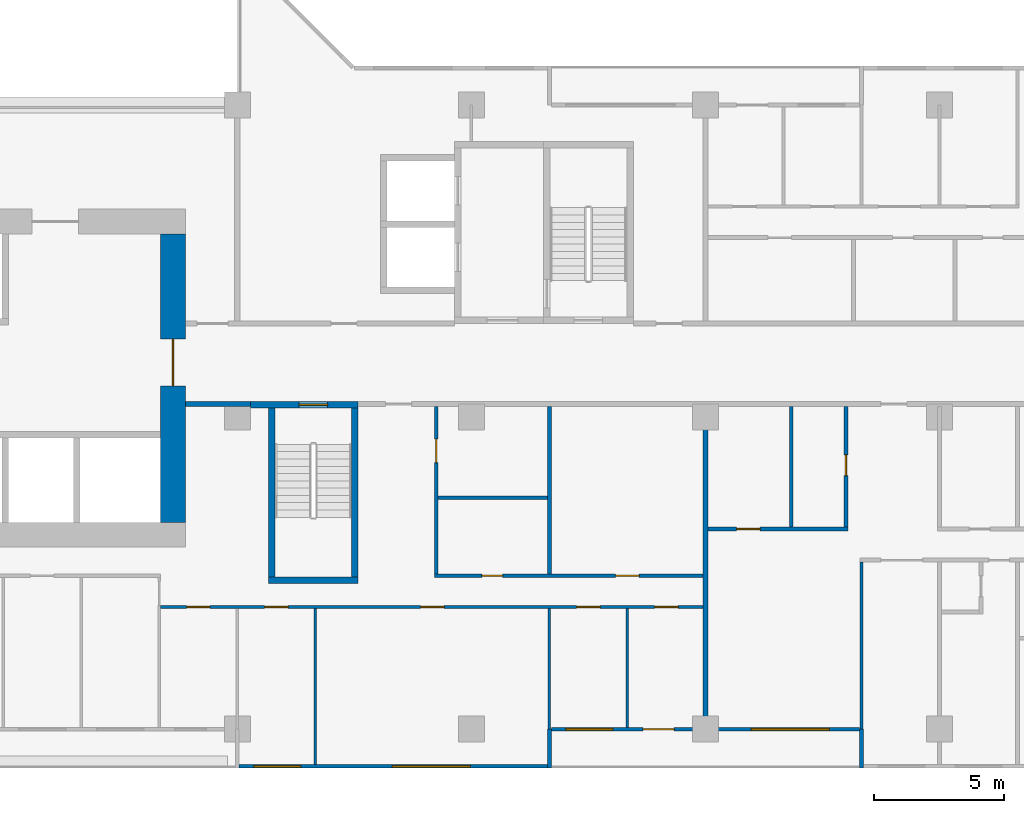
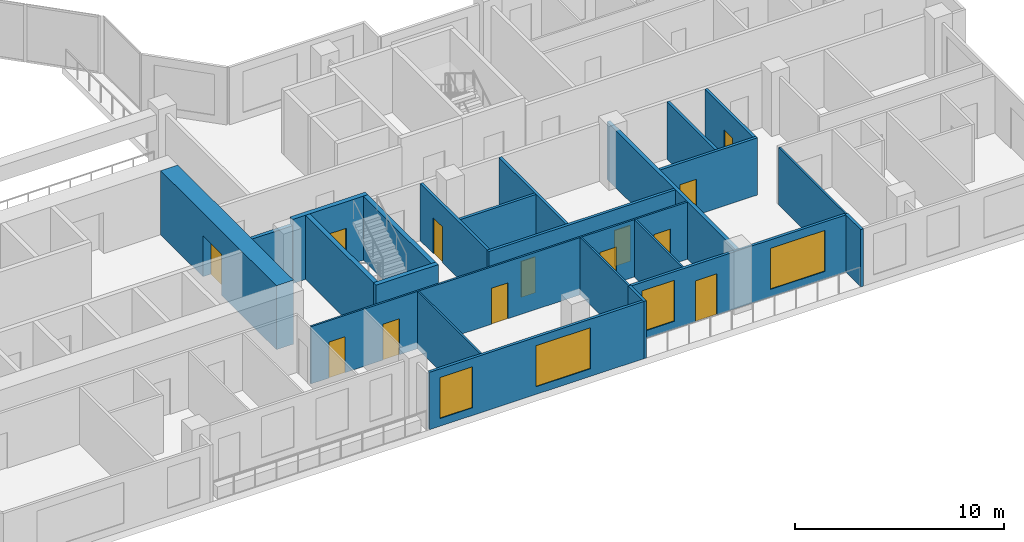
# One storey, part 6 of 15: 23 walls, 13 doors, 4 windows, 17 openings.
"""IFC4 building model written with IfcOpenShell, lengths in metres."""

from ifc_helpers import new_model, si_unit, direction, frame, frame_2d, origin, place, context, subcontext, project, spatial, rectangle, extrude, material, layer, layer_set, type_object, element, fill, save


model = new_model("IFC4")

# Units and contexts
model_context = context("Model", 3, precision=1e-05, world=origin(), true_north=direction((0.0, 1.0)))
body_context = subcontext(model_context, "Body", "Model", "MODEL_VIEW")
ifc_project = project(units=[si_unit("LENGTHUNIT", "METRE"), si_unit("AREAUNIT", "SQUARE_METRE"), si_unit("VOLUMEUNIT", "CUBIC_METRE"), si_unit("PLANEANGLEUNIT", "RADIAN"), si_unit("MASSUNIT", "GRAM", prefix="KILO")], contexts=[model_context])

# Site, building, storey
site_placement = place(None, origin())
site = spatial("IfcSite", under=ifc_project, at=site_placement, CompositionType="ELEMENT")
building_placement = place(site_placement, origin())
building = spatial("IfcBuilding", under=site, at=building_placement, Name="Chenar Terraces", CompositionType="ELEMENT")
storey_placement = place(building_placement, frame((0.0, 0.0, 125.64990234375)))
storey = spatial("IfcBuildingStorey", under=building, at=storey_placement, Name="L29", CompositionType="ELEMENT", Elevation=125.64990234375)

# Wall
ifc_material_1 = material(Name="Concrete C70/85", Category="concrete")
ifc_layer_1 = layer(ifc_material_1, 0.25)
ifc_layer_set_1 = layer_set([ifc_layer_1], Name="Concrete C70/85")
wall_type_1 = type_object("IfcWallType", Name="Core wall 250 Concrete C70/85", PredefinedType="SHEAR", material=ifc_layer_set_1)
wall_1_placement = place(storey_placement, frame((37.199951171875, 5.72509765625, 0.0), z_axis=(0.0, 0.0, 1.0), x_axis=(1.0, 0.0, 0.0)))
element("IfcWall", 1, at=wall_1_placement, inside=storey, type_object=wall_type_1, Name="Core wall ST2_S L29", PredefinedType="SHEAR", context=body_context, shape_type="SweptSolid", body=[
    extrude(rectangle(XDim=3.449951171875, YDim=0.25, at=frame_2d((1.72509765625, 0.0))), origin(), (0.0, 0.0, 1.0), 3.75),
])

# Wall, opening, door
wall_2_placement = place(storey_placement, frame((36.5, 12.47509765625, 0.0), z_axis=(0.0, 0.0, 1.0), x_axis=(1.0, 0.0, 0.0)))
wall_2 = element("IfcWall", 2, at=wall_2_placement, inside=storey, type_object=wall_type_1, Name="Core wall ST2_N L29", PredefinedType="SHEAR", context=body_context, shape_type="SweptSolid", body=[
    extrude(rectangle(XDim=4.14990234375, YDim=0.25, at=frame_2d((2.074951171875, 0.0))), origin(), (0.0, 0.0, 1.0), 3.75),
])
opening_1_placement = place(wall_2_placement, frame((1.875, 0.0, 0.0)))
opening_1 = element("IfcOpeningElement", 3, at=opening_1_placement, cuts=wall_2, Name="Opening DL29-C7", PredefinedType="OPENING", context=body_context, shape_type="SweptSolid", body=[
    extrude(rectangle(XDim=1.10009765625, YDim=2.199951171875, at=frame_2d((0.550048828125, 1.10009765625))), frame((0.0, 0.135009765625, 0.0), z_axis=(0.0, -1.0, 0.0), x_axis=(1.0, 0.0, 0.0)), (0.0, 0.0, 1.0), 0.27001953125),
])
ifc_material_2 = material(Name="Steel-framed fire-resisting door leaf", Category="steel")
door_type_1 = type_object("IfcDoorType", Name="Stair fire door FD60 1100 x 2200", OperationType="SINGLE_SWING_LEFT", PredefinedType="DOOR", material=ifc_material_2)
door_1_placement = place(opening_1_placement, frame((1.10009765625, 0.0, 0.0), z_axis=(0.0, 0.0, 1.0), x_axis=(-1.0, 0.0, 0.0)))
door_1 = element("IfcDoor", 4, at=door_1_placement, inside=storey, type_object=door_type_1, Name="Stair door DL29-C7", OperationType="SINGLE_SWING_RIGHT", OverallHeight=2.199951171875, OverallWidth=1.10009765625, PredefinedType="DOOR", context=body_context, shape_type="SweptSolid", body=[
    extrude(rectangle(XDim=1.10009765625, YDim=2.199951171875, at=frame_2d((0.550048828125, 1.10009765625))), frame((0.0, 0.02490234375, 0.0), z_axis=(0.0, -1.0, 0.0), x_axis=(1.0, 0.0, 0.0)), (0.0, 0.0, 1.0), 0.050048828125),
])
fill(opening_1, door_1)

# Walls
for number, where, z_axis, x_axis, name in (
    (5, (37.324951171875, 5.85009765625, 0.0), (0.0, 0.0, 1.0), (0.0, 1.0, 0.0), "Core wall ST2_W L29"),
    (6, (40.52490234375, 5.85009765625, 0.0), (0.0, 0.0, 1.0), (0.0, 1.0, 0.0), "Core wall ST2_E L29"),
):
    element("IfcWall", number, at=place(storey_placement, frame(where, z_axis=z_axis, x_axis=x_axis)), inside=storey, type_object=wall_type_1, Name=name, PredefinedType="SHEAR", context=body_context, shape_type="SweptSolid", body=[
        extrude(rectangle(XDim=6.5, YDim=0.25, at=frame_2d((3.25, 0.0))), origin(), (0.0, 0.0, 1.0), 3.75),
    ])

# Wall, opening, door
ifc_material_3 = material(Name="Concrete C70/85", Category="concrete")
ifc_layer_2 = layer(ifc_material_3, 0.949951171875)
ifc_layer_set_2 = layer_set([ifc_layer_2], Name="Concrete C70/85")
wall_type_2 = type_object("IfcWallType", Name="Core wall 950 Concrete C70/85", PredefinedType="SHEAR", material=ifc_layer_set_2)
wall_3_placement = place(storey_placement, frame((33.52490234375, 7.949951171875, 0.0), z_axis=(0.0, 0.0, 1.0), x_axis=(0.0, 1.0, 0.0)))
wall_3 = element("IfcWall", 7, at=wall_3_placement, inside=storey, type_object=wall_type_2, Name="Core wall E L29", PredefinedType="SHEAR", context=body_context, shape_type="SweptSolid", body=[
    extrude(rectangle(XDim=11.10009765625, YDim=0.949951171875, at=frame_2d((5.550048828125, 0.0))), origin(), (0.0, 0.0, 1.0), 3.75),
])
opening_2_placement = place(wall_3_placement, frame((5.25, 0.0, 0.0)))
opening_2 = element("IfcOpeningElement", 8, at=opening_2_placement, cuts=wall_3, Name="Opening DL29-C1", PredefinedType="OPENING", context=body_context, shape_type="SweptSolid", body=[
    extrude(rectangle(XDim=1.800048828125, YDim=2.39990234375, at=frame_2d((0.89990234375, 1.199951171875))), frame((0.0, 0.48486328125, 0.0), z_axis=(0.0, -1.0, 0.0), x_axis=(1.0, 0.0, 0.0)), (0.0, 0.0, 1.0), 0.969970703125),
])
ifc_material_4 = material(Name="Steel-framed fire-resisting door leaf", Category="steel")
door_type_2 = type_object("IfcDoorType", Name="Core entrance double fire door FD60 1800 x 2400", OperationType="DOUBLE_DOOR_SINGLE_SWING", PredefinedType="DOOR", material=ifc_material_4)
door_2_placement = place(opening_2_placement, origin())
door_2 = element("IfcDoor", 9, at=door_2_placement, inside=storey, type_object=door_type_2, Name="Core door DL29-C1", OperationType="DOUBLE_DOOR_SINGLE_SWING", OverallHeight=2.39990234375, OverallWidth=1.800048828125, PredefinedType="DOOR", context=body_context, shape_type="SweptSolid", body=[
    extrude(rectangle(XDim=1.800048828125, YDim=2.39990234375, at=frame_2d((0.89990234375, 1.199951171875))), frame((0.0, 0.02490234375, 0.0), z_axis=(0.0, -1.0, 0.0), x_axis=(1.0, 0.0, 0.0)), (0.0, 0.0, 1.0), 0.050048828125),
])
fill(opening_2, door_2)

# Wall
ifc_material_5 = material(Name="Gypsum board on steel studs with fire boards", Category="steel")
ifc_layer_3 = layer(ifc_material_5, 0.199951171875)
ifc_layer_set_3 = layer_set([ifc_layer_3], Name="Gypsum board on steel studs with fire boards")
wall_type_3 = type_object("IfcWallType", Name="Corridor wall 200", PredefinedType="PARTITIONING", material=ifc_layer_set_3)
wall_4_placement = place(storey_placement, frame((34.0, 12.5, 0.0), z_axis=(0.0, 0.0, 1.0), x_axis=(1.0, 0.0, 0.0)))
element("IfcWall", 10, at=wall_4_placement, inside=storey, type_object=wall_type_3, Name="Partition L29-063", PredefinedType="PARTITIONING", context=body_context, shape_type="SweptSolid", body=[
    extrude(rectangle(XDim=2.5009765625, YDim=0.199951171875, at=frame_2d((1.25048828125, 0.0))), origin(), (0.0, 0.0, 1.0), 3.35009765625),
])

# Wall, openings, windows
ifc_material_6 = material(Name="Aluminium framed glazing", Category="aluminium")
ifc_layer_4 = layer(ifc_material_6, 0.14990234375)
ifc_layer_set_4 = layer_set([ifc_layer_4], Name="Aluminium framed glazing")
wall_type_4 = type_object("IfcWallType", Name="Glazed flush facade wall 150", PredefinedType="SOLIDWALL", material=ifc_layer_set_4)
wall_5_placement = place(storey_placement, frame((36.074951171875, -1.425048828125, 0.0), z_axis=(0.0, 0.0, 1.0), x_axis=(1.0, 0.0, 0.0)))
wall_5 = element("IfcWall", 11, at=wall_5_placement, inside=storey, type_object=wall_type_4, Name="Glazed flush facade wall", PredefinedType="SOLIDWALL", context=body_context, shape_type="SweptSolid", body=[
    extrude(rectangle(XDim=11.85009765625, YDim=0.14990234375, at=frame_2d((5.925048828125, 0.0))), origin(), (0.0, 0.0, 1.0), 3.35009765625),
])
opening_3_placement = place(wall_5_placement, frame((0.5625, 0.0, 0.449951171875)))
opening_3 = element("IfcOpeningElement", 12, at=opening_3_placement, cuts=wall_5, Name="Opening W180x240", PredefinedType="OPENING", context=body_context, shape_type="SweptSolid", body=[
    extrude(rectangle(XDim=1.800048828125, YDim=2.39990234375, at=frame_2d((0.89990234375, 1.199951171875))), frame((0.0, 0.0849609375, 0.0), z_axis=(0.0, -1.0, 0.0), x_axis=(1.0, 0.0, 0.0)), (0.0, 0.0, 1.0), 0.169921875),
])
opening_4_placement = place(wall_5_placement, frame((5.887451171875, 0.0, 0.449951171875)))
opening_4 = element("IfcOpeningElement", 13, at=opening_4_placement, cuts=wall_5, Name="Opening W300x240", PredefinedType="OPENING", context=body_context, shape_type="SweptSolid", body=[
    extrude(rectangle(XDim=3.0, YDim=2.39990234375, at=frame_2d((1.5, 1.199951171875))), frame((0.0, 0.0849609375, 0.0), z_axis=(0.0, -1.0, 0.0), x_axis=(1.0, 0.0, 0.0)), (0.0, 0.0, 1.0), 0.169921875),
])
ifc_material_7 = material(Name="Low emissivity double glazing, aluminium frame", Category="aluminium")
window_type_1 = type_object("IfcWindowType", Name="Fixed light 1800 x 2400", PartitioningType="SINGLE_PANEL", PredefinedType="WINDOW", material=ifc_material_7)
window_1_placement = place(opening_3_placement, origin())
window_1 = element("IfcWindow", 14, at=window_1_placement, inside=storey, type_object=window_type_1, Name="Window", OverallHeight=2.39990234375, OverallWidth=1.800048828125, PartitioningType="SINGLE_PANEL", PredefinedType="WINDOW", context=body_context, shape_type="SweptSolid", body=[
    extrude(rectangle(XDim=1.800048828125, YDim=2.39990234375, at=frame_2d((0.89990234375, 1.199951171875))), frame((0.0, 0.030029296875, 0.0), z_axis=(0.0, -1.0, 0.0), x_axis=(1.0, 0.0, 0.0)), (0.0, 0.0, 1.0), 0.06005859375),
])
fill(opening_3, window_1)
ifc_material_8 = material(Name="Low emissivity double glazing, aluminium frame", Category="aluminium")
window_type_2 = type_object("IfcWindowType", Name="Fixed light 3000 x 2400", PartitioningType="SINGLE_PANEL", PredefinedType="WINDOW", material=ifc_material_8)
window_2_placement = place(opening_4_placement, origin())
window_2 = element("IfcWindow", 15, at=window_2_placement, inside=storey, type_object=window_type_2, Name="Window", OverallHeight=2.39990234375, OverallWidth=3.0, PartitioningType="SINGLE_PANEL", PredefinedType="WINDOW", context=body_context, shape_type="SweptSolid", body=[
    extrude(rectangle(XDim=3.0, YDim=2.39990234375, at=frame_2d((1.5, 1.199951171875))), frame((0.0, 0.030029296875, 0.0), z_axis=(0.0, -1.0, 0.0), x_axis=(1.0, 0.0, 0.0)), (0.0, 0.0, 1.0), 0.06005859375),
])
fill(opening_4, window_2)

# Wall, openings, windows, door
ifc_material_9 = material(Name="Aluminium framed glazing", Category="aluminium")
ifc_layer_5 = layer(ifc_material_9, 0.14990234375)
ifc_layer_set_5 = layer_set([ifc_layer_5], Name="Aluminium framed glazing")
wall_type_5 = type_object("IfcWallType", Name="Glazed loggia back wall 150", PredefinedType="SOLIDWALL", material=ifc_layer_set_5)
wall_6_placement = place(storey_placement, frame((48.074951171875, 0.0, 0.0), z_axis=(0.0, 0.0, 1.0), x_axis=(1.0, 0.0, 0.0)))
wall_6 = element("IfcWall", 16, at=wall_6_placement, inside=storey, type_object=wall_type_5, Name="Glazed loggia back wall", PredefinedType="SOLIDWALL", context=body_context, shape_type="SweptSolid", body=[
    extrude(rectangle(XDim=11.85009765625, YDim=0.14990234375, at=frame_2d((5.925048828125, 0.0))), origin(), (0.0, 0.0, 1.0), 3.35009765625),
])
opening_5_placement = place(wall_6_placement, frame((0.5625, 0.0, 0.449951171875)))
opening_5 = element("IfcOpeningElement", 17, at=opening_5_placement, cuts=wall_6, Name="Opening W180x240", PredefinedType="OPENING", context=body_context, shape_type="SweptSolid", body=[
    extrude(rectangle(XDim=1.800048828125, YDim=2.39990234375, at=frame_2d((0.89990234375, 1.199951171875))), frame((0.0, 0.0849609375, 0.0), z_axis=(0.0, -1.0, 0.0), x_axis=(1.0, 0.0, 0.0)), (0.0, 0.0, 1.0), 0.169921875),
])
opening_6_placement = place(wall_6_placement, frame((3.52490234375, 0.0, 0.0)))
opening_6 = element("IfcOpeningElement", 18, at=opening_6_placement, cuts=wall_6, Name="Opening DL29-G7", PredefinedType="OPENING", context=body_context, shape_type="SweptSolid", body=[
    extrude(rectangle(XDim=1.199951171875, YDim=2.39990234375, at=frame_2d((0.60009765625, 1.199951171875))), frame((0.0, 0.0849609375, 0.0), z_axis=(0.0, -1.0, 0.0), x_axis=(1.0, 0.0, 0.0)), (0.0, 0.0, 1.0), 0.169921875),
])
opening_7_placement = place(wall_6_placement, frame((7.6875, 0.0, 0.449951171875)))
opening_7 = element("IfcOpeningElement", 19, at=opening_7_placement, cuts=wall_6, Name="Opening W300x240", PredefinedType="OPENING", context=body_context, shape_type="SweptSolid", body=[
    extrude(rectangle(XDim=3.0, YDim=2.39990234375, at=frame_2d((1.5, 1.199951171875))), frame((0.0, 0.0849609375, 0.0), z_axis=(0.0, -1.0, 0.0), x_axis=(1.0, 0.0, 0.0)), (0.0, 0.0, 1.0), 0.169921875),
])
window_3_placement = place(opening_5_placement, origin())
window_3 = element("IfcWindow", 20, at=window_3_placement, inside=storey, type_object=window_type_1, Name="Window", OverallHeight=2.39990234375, OverallWidth=1.800048828125, PartitioningType="SINGLE_PANEL", PredefinedType="WINDOW", context=body_context, shape_type="SweptSolid", body=[
    extrude(rectangle(XDim=1.800048828125, YDim=2.39990234375, at=frame_2d((0.89990234375, 1.199951171875))), frame((0.0, 0.030029296875, 0.0), z_axis=(0.0, -1.0, 0.0), x_axis=(1.0, 0.0, 0.0)), (0.0, 0.0, 1.0), 0.06005859375),
])
fill(opening_5, window_3)
window_4_placement = place(opening_7_placement, origin())
window_4 = element("IfcWindow", 21, at=window_4_placement, inside=storey, type_object=window_type_2, Name="Window", OverallHeight=2.39990234375, OverallWidth=3.0, PartitioningType="SINGLE_PANEL", PredefinedType="WINDOW", context=body_context, shape_type="SweptSolid", body=[
    extrude(rectangle(XDim=3.0, YDim=2.39990234375, at=frame_2d((1.5, 1.199951171875))), frame((0.0, 0.030029296875, 0.0), z_axis=(0.0, -1.0, 0.0), x_axis=(1.0, 0.0, 0.0)), (0.0, 0.0, 1.0), 0.06005859375),
])
fill(opening_7, window_4)
ifc_material_10 = material(Name="Low emissivity double glazing, aluminium frame", Category="aluminium")
door_type_3 = type_object("IfcDoorType", Name="Loggia glazed double door 1200 x 2400", OperationType="DOUBLE_DOOR_SINGLE_SWING", PredefinedType="DOOR", material=ifc_material_10)
door_3_placement = place(opening_6_placement, frame((1.199951171875, 0.0, 0.0), z_axis=(0.0, 0.0, 1.0), x_axis=(-1.0, 0.0, 0.0)))
door_3 = element("IfcDoor", 22, at=door_3_placement, inside=storey, type_object=door_type_3, Name="Loggia glazed door", OperationType="DOUBLE_DOOR_SINGLE_SWING", OverallHeight=2.39990234375, OverallWidth=1.199951171875, PredefinedType="DOOR", context=body_context, shape_type="SweptSolid", body=[
    extrude(rectangle(XDim=1.199951171875, YDim=2.39990234375, at=frame_2d((0.60009765625, 1.199951171875))), frame((0.0, 0.02490234375, 0.0), z_axis=(0.0, -1.0, 0.0), x_axis=(1.0, 0.0, 0.0)), (0.0, 0.0, 1.0), 0.050048828125),
])
fill(opening_6, door_3)

# Wall, openings, doors
ifc_material_11 = material(Name="Gypsum board on steel studs", Category="steel")
ifc_layer_6 = layer(ifc_material_11, 0.10009765625)
ifc_layer_set_6 = layer_set([ifc_layer_6], Name="Gypsum board on steel studs")
wall_type_6 = type_object("IfcWallType", Name="Gypsum partition 100", PredefinedType="PARTITIONING", material=ifc_layer_set_6)
wall_7_placement = place(storey_placement, frame((33.050048828125, 4.699951171875, 0.0), z_axis=(0.0, 0.0, 1.0), x_axis=(1.0, 0.0, 0.0)))
wall_7 = element("IfcWall", 23, at=wall_7_placement, inside=storey, type_object=wall_type_6, Name="Partition L29-062", PredefinedType="PARTITIONING", context=body_context, shape_type="SweptSolid", body=[
    extrude(rectangle(XDim=20.849853515625, YDim=0.10009765625, at=frame_2d((10.4248046875, 0.0))), origin(), (0.0, 0.0, 1.0), 3.35009765625),
])
opening_8_placement = place(wall_7_placement, frame((1.0, 0.0, 0.0)))
opening_8 = element("IfcOpeningElement", 24, at=opening_8_placement, cuts=wall_7, Name="Opening DL29-57", PredefinedType="OPENING", context=body_context, shape_type="SweptSolid", body=[
    extrude(rectangle(XDim=0.89990234375, YDim=2.10009765625, at=frame_2d((0.449951171875, 1.050048828125))), frame((0.0, 0.06005859375, 0.0), z_axis=(0.0, -1.0, 0.0), x_axis=(1.0, 0.0, 0.0)), (0.0, 0.0, 1.0), 0.1201171875),
])
opening_9_placement = place(wall_7_placement, frame((4.0, 0.0, 0.0)))
opening_9 = element("IfcOpeningElement", 25, at=opening_9_placement, cuts=wall_7, Name="Opening DL29-58", PredefinedType="OPENING", context=body_context, shape_type="SweptSolid", body=[
    extrude(rectangle(XDim=0.89990234375, YDim=2.10009765625, at=frame_2d((0.449951171875, 1.050048828125))), frame((0.0, 0.06005859375, 0.0), z_axis=(0.0, -1.0, 0.0), x_axis=(1.0, 0.0, 0.0)), (0.0, 0.0, 1.0), 0.1201171875),
])
opening_10_placement = place(wall_7_placement, frame((16.0, 0.0, 0.0)))
opening_10 = element("IfcOpeningElement", 26, at=opening_10_placement, cuts=wall_7, Name="Opening DL29-59", PredefinedType="OPENING", context=body_context, shape_type="SweptSolid", body=[
    extrude(rectangle(XDim=0.89990234375, YDim=2.10009765625, at=frame_2d((0.449951171875, 1.050048828125))), frame((0.0, 0.06005859375, 0.0), z_axis=(0.0, -1.0, 0.0), x_axis=(1.0, 0.0, 0.0)), (0.0, 0.0, 1.0), 0.1201171875),
])
opening_11_placement = place(wall_7_placement, frame((19.0, 0.0, 0.0)))
opening_11 = element("IfcOpeningElement", 27, at=opening_11_placement, cuts=wall_7, Name="Opening DL29-60", PredefinedType="OPENING", context=body_context, shape_type="SweptSolid", body=[
    extrude(rectangle(XDim=0.89990234375, YDim=2.10009765625, at=frame_2d((0.449951171875, 1.050048828125))), frame((0.0, 0.06005859375, 0.0), z_axis=(0.0, -1.0, 0.0), x_axis=(1.0, 0.0, 0.0)), (0.0, 0.0, 1.0), 0.1201171875),
])
opening_12_placement = place(wall_7_placement, frame((10.0, 0.0, 0.0)))
opening_12 = element("IfcOpeningElement", 28, at=opening_12_placement, cuts=wall_7, Name="Opening DL29-69", PredefinedType="OPENING", context=body_context, shape_type="SweptSolid", body=[
    extrude(rectangle(XDim=0.89990234375, YDim=2.10009765625, at=frame_2d((0.449951171875, 1.050048828125))), frame((0.0, 0.06005859375, 0.0), z_axis=(0.0, -1.0, 0.0), x_axis=(1.0, 0.0, 0.0)), (0.0, 0.0, 1.0), 0.1201171875),
])
ifc_material_12 = material(Name="Veneered timber door leaf", Category="wood")
door_type_4 = type_object("IfcDoorType", Name="Door 900 x 2100", OperationType="SINGLE_SWING_LEFT", PredefinedType="DOOR", material=ifc_material_12)
door_4_placement = place(opening_8_placement, frame((0.89990234375, 0.0, 0.0), z_axis=(0.0, 0.0, 1.0), x_axis=(-1.0, 0.0, 0.0)))
door_4 = element("IfcDoor", 29, at=door_4_placement, inside=storey, type_object=door_type_4, Name="Door DL29-57", OperationType="SINGLE_SWING_LEFT", OverallHeight=2.10009765625, OverallWidth=0.89990234375, PredefinedType="DOOR", context=body_context, shape_type="SweptSolid", body=[
    extrude(rectangle(XDim=0.89990234375, YDim=2.10009765625, at=frame_2d((0.449951171875, 1.050048828125))), frame((0.0, 0.02490234375, 0.0), z_axis=(0.0, -1.0, 0.0), x_axis=(1.0, 0.0, 0.0)), (0.0, 0.0, 1.0), 0.050048828125),
])
fill(opening_8, door_4)
door_5_placement = place(opening_9_placement, frame((0.89990234375, 0.0, 0.0), z_axis=(0.0, 0.0, 1.0), x_axis=(-1.0, 0.0, 0.0)))
door_5 = element("IfcDoor", 30, at=door_5_placement, inside=storey, type_object=door_type_4, Name="Door DL29-58", OperationType="SINGLE_SWING_LEFT", OverallHeight=2.10009765625, OverallWidth=0.89990234375, PredefinedType="DOOR", context=body_context, shape_type="SweptSolid", body=[
    extrude(rectangle(XDim=0.89990234375, YDim=2.10009765625, at=frame_2d((0.449951171875, 1.050048828125))), frame((0.0, 0.02490234375, 0.0), z_axis=(0.0, -1.0, 0.0), x_axis=(1.0, 0.0, 0.0)), (0.0, 0.0, 1.0), 0.050048828125),
])
fill(opening_9, door_5)
door_6_placement = place(opening_10_placement, frame((0.89990234375, 0.0, 0.0), z_axis=(0.0, 0.0, 1.0), x_axis=(-1.0, 0.0, 0.0)))
door_6 = element("IfcDoor", 31, at=door_6_placement, inside=storey, type_object=door_type_4, Name="Door DL29-59", OperationType="SINGLE_SWING_LEFT", OverallHeight=2.10009765625, OverallWidth=0.89990234375, PredefinedType="DOOR", context=body_context, shape_type="SweptSolid", body=[
    extrude(rectangle(XDim=0.89990234375, YDim=2.10009765625, at=frame_2d((0.449951171875, 1.050048828125))), frame((0.0, 0.02490234375, 0.0), z_axis=(0.0, -1.0, 0.0), x_axis=(1.0, 0.0, 0.0)), (0.0, 0.0, 1.0), 0.050048828125),
])
fill(opening_10, door_6)
door_7_placement = place(opening_11_placement, frame((0.89990234375, 0.0, 0.0), z_axis=(0.0, 0.0, 1.0), x_axis=(-1.0, 0.0, 0.0)))
door_7 = element("IfcDoor", 32, at=door_7_placement, inside=storey, type_object=door_type_4, Name="Door DL29-60", OperationType="SINGLE_SWING_LEFT", OverallHeight=2.10009765625, OverallWidth=0.89990234375, PredefinedType="DOOR", context=body_context, shape_type="SweptSolid", body=[
    extrude(rectangle(XDim=0.89990234375, YDim=2.10009765625, at=frame_2d((0.449951171875, 1.050048828125))), frame((0.0, 0.02490234375, 0.0), z_axis=(0.0, -1.0, 0.0), x_axis=(1.0, 0.0, 0.0)), (0.0, 0.0, 1.0), 0.050048828125),
])
fill(opening_11, door_7)
door_8_placement = place(opening_12_placement, frame((0.89990234375, 0.0, 0.0), z_axis=(0.0, 0.0, 1.0), x_axis=(-1.0, 0.0, 0.0)))
door_8 = element("IfcDoor", 33, at=door_8_placement, inside=storey, type_object=door_type_4, Name="Door DL29-69", OperationType="SINGLE_SWING_LEFT", OverallHeight=2.10009765625, OverallWidth=0.89990234375, PredefinedType="DOOR", context=body_context, shape_type="SweptSolid", body=[
    extrude(rectangle(XDim=0.89990234375, YDim=2.10009765625, at=frame_2d((0.449951171875, 1.050048828125))), frame((0.0, 0.02490234375, 0.0), z_axis=(0.0, -1.0, 0.0), x_axis=(1.0, 0.0, 0.0)), (0.0, 0.0, 1.0), 0.050048828125),
])
fill(opening_12, door_8)

# Walls
wall_8_placement = place(storey_placement, frame((39.0, -1.35009765625, 0.0), z_axis=(0.0, 0.0, 1.0), x_axis=(0.0, 1.0, 0.0)))
element("IfcWall", 34, at=wall_8_placement, inside=storey, type_object=wall_type_6, Name="Partition L29-067", PredefinedType="PARTITIONING", context=body_context, shape_type="SweptSolid", body=[
    extrude(rectangle(XDim=6.0, YDim=0.10009765625, at=frame_2d((3.0, 0.0))), origin(), (0.0, 0.0, 1.0), 3.35009765625),
])
wall_9_placement = place(storey_placement, frame((48.0, 0.0, 0.0), z_axis=(0.0, 0.0, 1.0), x_axis=(0.0, 1.0, 0.0)))
element("IfcWall", 35, at=wall_9_placement, inside=storey, type_object=wall_type_6, Name="Partition L29-073", PredefinedType="PARTITIONING", context=body_context, shape_type="SweptSolid", body=[
    extrude(rectangle(XDim=4.64990234375, YDim=0.10009765625, at=frame_2d((2.324951171875, 0.0))), origin(), (0.0, 0.0, 1.0), 3.35009765625),
])
wall_10_placement = place(storey_placement, frame((51.0, 0.073974609375, 0.0), z_axis=(0.0, 0.0, 1.0), x_axis=(0.0, 1.0, 0.0)))
element("IfcWall", 36, at=wall_10_placement, inside=storey, type_object=wall_type_6, Name="Partition L29-075", PredefinedType="PARTITIONING", context=body_context, shape_type="SweptSolid", body=[
    extrude(rectangle(XDim=4.575927734375, YDim=0.10009765625, at=frame_2d((2.2880859375, 0.0))), origin(), (0.0, 0.0, 1.0), 3.35009765625),
])
wall_11_placement = place(storey_placement, frame((60.0, 0.0, 0.0), z_axis=(0.0, 0.0, 1.0), x_axis=(0.0, 1.0, 0.0)))
element("IfcWall", 37, at=wall_11_placement, inside=storey, type_object=wall_type_6, Name="Partition L29-087", PredefinedType="PARTITIONING", context=body_context, shape_type="SweptSolid", body=[
    extrude(rectangle(XDim=6.425048828125, YDim=0.10009765625, at=frame_2d((3.21240234375, 0.0))), origin(), (0.0, 0.0, 1.0), 3.35009765625),
])
ifc_material_13 = material(Name="Terracotta cladding on insulated backing", Category="masonry")
ifc_layer_7 = layer(ifc_material_13, 0.14990234375)
ifc_layer_set_7 = layer_set([ifc_layer_7], Name="Terracotta cladding on insulated backing")
wall_type_7 = type_object("IfcWallType", Name="Loggia return wall 150", PredefinedType="SOLIDWALL", material=ifc_layer_set_7)
for number, where, z_axis, x_axis, name in (
    (38, (48.0, -1.5, 0.0), (0.0, 0.0, 1.0), (0.0, 1.0, 0.0), "Loggia return wall"),
    (39, (60.0, -1.5, 0.0), (0.0, 0.0, 1.0), (0.0, 1.0, 0.0), "Loggia return wall"),
):
    element("IfcWall", number, at=place(storey_placement, frame(where, z_axis=z_axis, x_axis=x_axis)), inside=storey, type_object=wall_type_7, Name=name, PredefinedType="SOLIDWALL", context=body_context, shape_type="SweptSolid", body=[
        extrude(rectangle(XDim=1.5, YDim=0.14990234375, at=frame_2d((0.75, 0.0))), origin(), (0.0, 0.0, 1.0), 3.35009765625),
    ])
ifc_material_14 = material(Name="Twin gypsum board on steel studs with mineral wool", Category="steel")
ifc_layer_8 = layer(ifc_material_14, 0.199951171875)
ifc_layer_set_8 = layer_set([ifc_layer_8], Name="Twin gypsum board on steel studs with mineral wool")
wall_type_8 = type_object("IfcWallType", Name="Unit demising wall 200", PredefinedType="PARTITIONING", material=ifc_layer_set_8)
wall_12_placement = place(storey_placement, frame((54.0, 0.073974609375, 0.0), z_axis=(0.0, 0.0, 1.0), x_axis=(0.0, 1.0, 0.0)))
element("IfcWall", 40, at=wall_12_placement, inside=storey, type_object=wall_type_8, Name="Partition L29-077", PredefinedType="PARTITIONING", context=body_context, shape_type="SweptSolid", body=[
    extrude(rectangle(XDim=12.325927734375, YDim=0.199951171875, at=frame_2d((6.1630859375, 0.0))), origin(), (0.0, 0.0, 1.0), 3.35009765625),
])

# Wall, openings, doors
ifc_material_15 = material(Name="Moisture-resistant gypsum board on steel studs", Category="steel")
ifc_layer_9 = layer(ifc_material_15, 0.14990234375)
ifc_layer_set_9 = layer_set([ifc_layer_9], Name="Moisture-resistant gypsum board on steel studs")
wall_type_9 = type_object("IfcWallType", Name="Wet-room partition 150", PredefinedType="PARTITIONING", material=ifc_layer_set_9)
wall_13_placement = place(storey_placement, frame((43.574951171875, 5.89990234375, 0.0), z_axis=(0.0, 0.0, 1.0), x_axis=(1.0, 0.0, 0.0)))
wall_13 = element("IfcWall", 41, at=wall_13_placement, inside=storey, type_object=wall_type_9, Name="Partition L29-069", PredefinedType="PARTITIONING", context=body_context, shape_type="SweptSolid", body=[
    extrude(rectangle(XDim=10.324951171875, YDim=0.14990234375, at=frame_2d((5.16259765625, 0.0))), origin(), (0.0, 0.0, 1.0), 3.35009765625),
])
opening_13_placement = place(wall_13_placement, frame((1.824951171875, 0.0, 0.0)))
opening_13 = element("IfcOpeningElement", 42, at=opening_13_placement, cuts=wall_13, Name="Opening DL29-54", PredefinedType="OPENING", context=body_context, shape_type="SweptSolid", body=[
    extrude(rectangle(XDim=0.800048828125, YDim=2.10009765625, at=frame_2d((0.39990234375, 1.050048828125))), frame((0.0, 0.0849609375, 0.0), z_axis=(0.0, -1.0, 0.0), x_axis=(1.0, 0.0, 0.0)), (0.0, 0.0, 1.0), 0.169921875),
])
opening_14_placement = place(wall_13_placement, frame((6.97509765625, 0.0, 0.0)))
opening_14 = element("IfcOpeningElement", 43, at=opening_14_placement, cuts=wall_13, Name="Opening DL29-65", PredefinedType="OPENING", context=body_context, shape_type="SweptSolid", body=[
    extrude(rectangle(XDim=0.89990234375, YDim=2.10009765625, at=frame_2d((0.449951171875, 1.050048828125))), frame((0.0, 0.0849609375, 0.0), z_axis=(0.0, -1.0, 0.0), x_axis=(1.0, 0.0, 0.0)), (0.0, 0.0, 1.0), 0.169921875),
])
ifc_material_16 = material(Name="Veneered timber door leaf", Category="wood")
door_type_5 = type_object("IfcDoorType", Name="Door 800 x 2100", OperationType="SINGLE_SWING_LEFT", PredefinedType="DOOR", material=ifc_material_16)
door_9_placement = place(opening_13_placement, origin())
door_9 = element("IfcDoor", 44, at=door_9_placement, inside=storey, type_object=door_type_5, Name="Door DL29-54", OperationType="SINGLE_SWING_RIGHT", OverallHeight=2.10009765625, OverallWidth=0.800048828125, PredefinedType="DOOR", context=body_context, shape_type="SweptSolid", body=[
    extrude(rectangle(XDim=0.800048828125, YDim=2.10009765625, at=frame_2d((0.39990234375, 1.050048828125))), frame((0.0, 0.02490234375, 0.0), z_axis=(0.0, -1.0, 0.0), x_axis=(1.0, 0.0, 0.0)), (0.0, 0.0, 1.0), 0.050048828125),
])
fill(opening_13, door_9)
door_10_placement = place(opening_14_placement, origin())
door_10 = element("IfcDoor", 45, at=door_10_placement, inside=storey, type_object=door_type_4, Name="Door DL29-65", OperationType="SINGLE_SWING_RIGHT", OverallHeight=2.10009765625, OverallWidth=0.89990234375, PredefinedType="DOOR", context=body_context, shape_type="SweptSolid", body=[
    extrude(rectangle(XDim=0.89990234375, YDim=2.10009765625, at=frame_2d((0.449951171875, 1.050048828125))), frame((0.0, 0.02490234375, 0.0), z_axis=(0.0, -1.0, 0.0), x_axis=(1.0, 0.0, 0.0)), (0.0, 0.0, 1.0), 0.050048828125),
])
fill(opening_14, door_10)

# Wall, opening, door
wall_14_placement = place(storey_placement, frame((43.64990234375, 5.97509765625, 0.0), z_axis=(0.0, 0.0, 1.0), x_axis=(0.0, 1.0, 0.0)))
wall_14 = element("IfcWall", 46, at=wall_14_placement, inside=storey, type_object=wall_type_9, Name="Partition L29-070", PredefinedType="PARTITIONING", context=body_context, shape_type="SweptSolid", body=[
    extrude(rectangle(XDim=6.4248046875, YDim=0.14990234375, at=frame_2d((3.21240234375, 0.0))), origin(), (0.0, 0.0, 1.0), 3.35009765625),
])
opening_15_placement = place(wall_14_placement, frame((4.27490234375, 0.0, 0.0)))
opening_15 = element("IfcOpeningElement", 47, at=opening_15_placement, cuts=wall_14, Name="Opening DL29-67", PredefinedType="OPENING", context=body_context, shape_type="SweptSolid", body=[
    extrude(rectangle(XDim=0.89990234375, YDim=2.10009765625, at=frame_2d((0.449951171875, 1.050048828125))), frame((0.0, 0.0849609375, 0.0), z_axis=(0.0, -1.0, 0.0), x_axis=(1.0, 0.0, 0.0)), (0.0, 0.0, 1.0), 0.169921875),
])
door_11_placement = place(opening_15_placement, frame((0.89990234375, 0.0, 0.0), z_axis=(0.0, 0.0, 1.0), x_axis=(-1.0, 0.0, 0.0)))
door_11 = element("IfcDoor", 48, at=door_11_placement, inside=storey, type_object=door_type_4, Name="Door DL29-67", OperationType="SINGLE_SWING_RIGHT", OverallHeight=2.10009765625, OverallWidth=0.89990234375, PredefinedType="DOOR", context=body_context, shape_type="SweptSolid", body=[
    extrude(rectangle(XDim=0.89990234375, YDim=2.10009765625, at=frame_2d((0.449951171875, 1.050048828125))), frame((0.0, 0.02490234375, 0.0), z_axis=(0.0, -1.0, 0.0), x_axis=(1.0, 0.0, 0.0)), (0.0, 0.0, 1.0), 0.050048828125),
])
fill(opening_15, door_11)

# Walls
wall_15_placement = place(storey_placement, frame((43.72509765625, 8.89990234375, 0.0), z_axis=(0.0, 0.0, 1.0), x_axis=(1.0, 0.0, 0.0)))
element("IfcWall", 49, at=wall_15_placement, inside=storey, type_object=wall_type_9, Name="Partition L29-071", PredefinedType="PARTITIONING", context=body_context, shape_type="SweptSolid", body=[
    extrude(rectangle(XDim=4.199951171875, YDim=0.14990234375, at=frame_2d((2.10009765625, 0.0))), origin(), (0.0, 0.0, 1.0), 3.35009765625),
])
wall_16_placement = place(storey_placement, frame((48.0, 5.97509765625, 0.0), z_axis=(0.0, 0.0, 1.0), x_axis=(0.0, 1.0, 0.0)))
element("IfcWall", 50, at=wall_16_placement, inside=storey, type_object=wall_type_9, Name="Partition L29-074", PredefinedType="PARTITIONING", context=body_context, shape_type="SweptSolid", body=[
    extrude(rectangle(XDim=6.4248046875, YDim=0.14990234375, at=frame_2d((3.21240234375, 0.0))), origin(), (0.0, 0.0, 1.0), 3.35009765625),
])

# Wall, opening, door
wall_17_placement = place(storey_placement, frame((54.10009765625, 7.699951171875, 0.0), z_axis=(0.0, 0.0, 1.0), x_axis=(1.0, 0.0, 0.0)))
wall_17 = element("IfcWall", 51, at=wall_17_placement, inside=storey, type_object=wall_type_9, Name="Partition L29-079", PredefinedType="PARTITIONING", context=body_context, shape_type="SweptSolid", body=[
    extrude(rectangle(XDim=5.375, YDim=0.14990234375, at=frame_2d((2.6875, 0.0))), origin(), (0.0, 0.0, 1.0), 3.35009765625),
])
opening_16_placement = place(wall_17_placement, frame((1.10009765625, 0.0, 0.0)))
opening_16 = element("IfcOpeningElement", 52, at=opening_16_placement, cuts=wall_17, Name="Opening DL29-21", PredefinedType="OPENING", context=body_context, shape_type="SweptSolid", body=[
    extrude(rectangle(XDim=0.89990234375, YDim=2.10009765625, at=frame_2d((0.449951171875, 1.050048828125))), frame((0.0, 0.0849609375, 0.0), z_axis=(0.0, -1.0, 0.0), x_axis=(1.0, 0.0, 0.0)), (0.0, 0.0, 1.0), 0.169921875),
])
door_12_placement = place(opening_16_placement, origin())
door_12 = element("IfcDoor", 53, at=door_12_placement, inside=storey, type_object=door_type_4, Name="Door DL29-21", OperationType="SINGLE_SWING_LEFT", OverallHeight=2.10009765625, OverallWidth=0.89990234375, PredefinedType="DOOR", context=body_context, shape_type="SweptSolid", body=[
    extrude(rectangle(XDim=0.89990234375, YDim=2.10009765625, at=frame_2d((0.449951171875, 1.050048828125))), frame((0.0, 0.02490234375, 0.0), z_axis=(0.0, -1.0, 0.0), x_axis=(1.0, 0.0, 0.0)), (0.0, 0.0, 1.0), 0.050048828125),
])
fill(opening_16, door_12)

# Wall
wall_18_placement = place(storey_placement, frame((57.300048828125, 7.77490234375, 0.0), z_axis=(0.0, 0.0, 1.0), x_axis=(0.0, 1.0, 0.0)))
element("IfcWall", 54, at=wall_18_placement, inside=storey, type_object=wall_type_9, Name="Partition L29-083", PredefinedType="PARTITIONING", context=body_context, shape_type="SweptSolid", body=[
    extrude(rectangle(XDim=4.625, YDim=0.14990234375, at=frame_2d((2.3125, 0.0))), origin(), (0.0, 0.0, 1.0), 3.35009765625),
])

# Wall, opening, door
wall_19_placement = place(storey_placement, frame((59.39990234375, 7.77490234375, 0.0), z_axis=(0.0, 0.0, 1.0), x_axis=(0.0, 1.0, 0.0)))
wall_19 = element("IfcWall", 55, at=wall_19_placement, inside=storey, type_object=wall_type_9, Name="Partition L29-084", PredefinedType="PARTITIONING", context=body_context, shape_type="SweptSolid", body=[
    extrude(rectangle(XDim=4.625, YDim=0.14990234375, at=frame_2d((2.3125, 0.0))), origin(), (0.0, 0.0, 1.0), 3.35009765625),
])
opening_17_placement = place(wall_19_placement, frame((1.97509765625, 0.0, 0.0)))
opening_17 = element("IfcOpeningElement", 56, at=opening_17_placement, cuts=wall_19, Name="Opening DL29-13", PredefinedType="OPENING", context=body_context, shape_type="SweptSolid", body=[
    extrude(rectangle(XDim=0.800048828125, YDim=2.10009765625, at=frame_2d((0.39990234375, 1.050048828125))), frame((0.0, 0.0849609375, 0.0), z_axis=(0.0, -1.0, 0.0), x_axis=(1.0, 0.0, 0.0)), (0.0, 0.0, 1.0), 0.169921875),
])
door_13_placement = place(opening_17_placement, origin())
door_13 = element("IfcDoor", 57, at=door_13_placement, inside=storey, type_object=door_type_5, Name="Door DL29-13", OperationType="SINGLE_SWING_RIGHT", OverallHeight=2.10009765625, OverallWidth=0.800048828125, PredefinedType="DOOR", context=body_context, shape_type="SweptSolid", body=[
    extrude(rectangle(XDim=0.800048828125, YDim=2.10009765625, at=frame_2d((0.39990234375, 1.050048828125))), frame((0.0, 0.02490234375, 0.0), z_axis=(0.0, -1.0, 0.0), x_axis=(1.0, 0.0, 0.0)), (0.0, 0.0, 1.0), 0.050048828125),
])
fill(opening_17, door_13)

save(model, "model.ifc")
